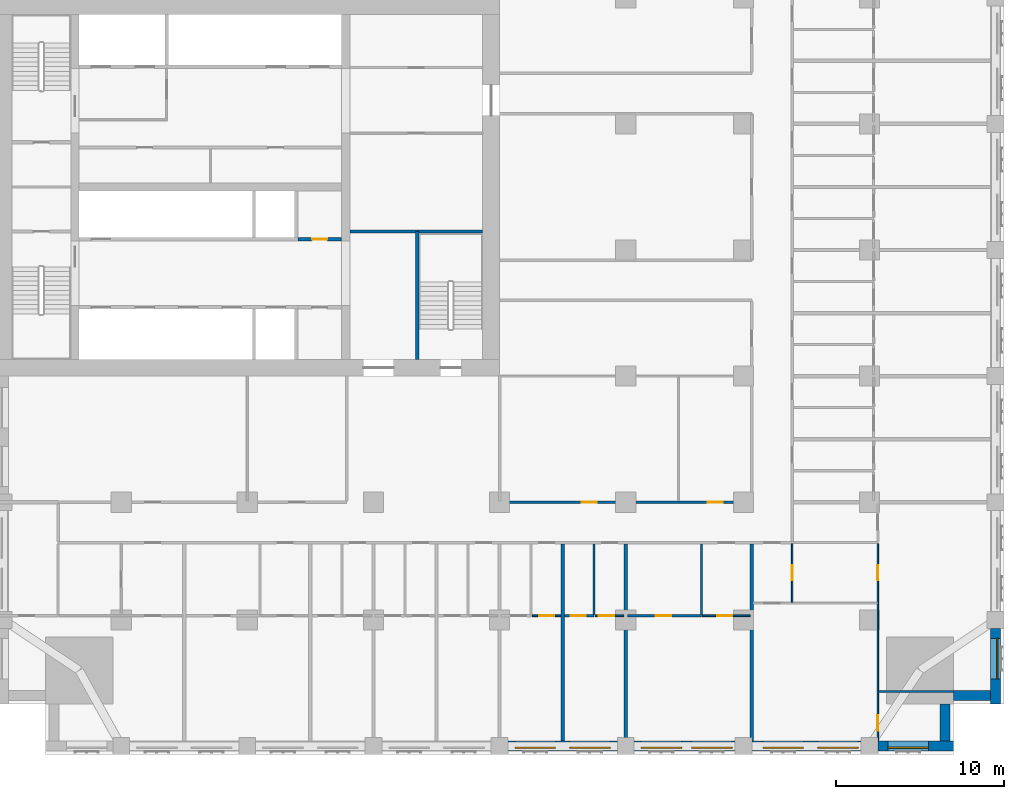
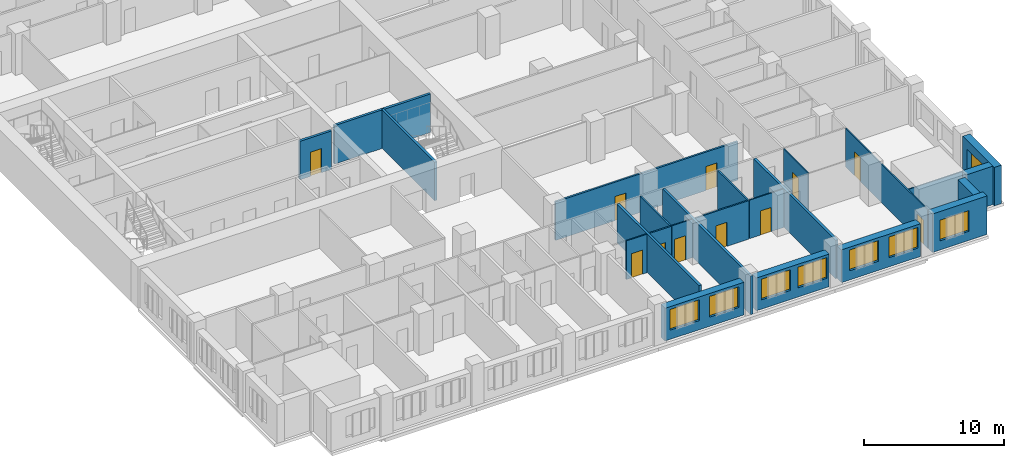
# One storey, part 6 of 15: 24 walls, 11 doors, 8 windows, 19 openings.
"""IFC4 building model written with IfcOpenShell, lengths in metres."""

from ifc_helpers import new_model, si_unit, direction, frame, frame_2d, origin, place, context, subcontext, project, spatial, rectangle, extrude, material, layer, layer_set, type_object, element, fill, save


model = new_model("IFC4")

# Units and contexts
model_context = context("Model", 3, precision=1e-05, world=origin(), true_north=direction((0.0, 1.0)))
body_context = subcontext(model_context, "Body", "Model", "MODEL_VIEW")
ifc_project = project(units=[si_unit("LENGTHUNIT", "METRE"), si_unit("AREAUNIT", "SQUARE_METRE"), si_unit("VOLUMEUNIT", "CUBIC_METRE"), si_unit("PLANEANGLEUNIT", "RADIAN"), si_unit("MASSUNIT", "GRAM", prefix="KILO")], contexts=[model_context])

# Site, building, storey
site_placement = place(None, origin())
site = spatial("IfcSite", under=ifc_project, at=site_placement, CompositionType="ELEMENT")
building_placement = place(site_placement, origin())
building = spatial("IfcBuilding", under=site, at=building_placement, Name="Tamorin Gate", CompositionType="ELEMENT")
storey_placement = place(building_placement, frame((0.0, 0.0, 62.800048828125)))
storey = spatial("IfcBuildingStorey", under=building, at=storey_placement, Name="L14", CompositionType="ELEMENT", Elevation=62.800048828125)

# Wall, openings, windows
ifc_material_1 = material(Name="Precast concrete C40/50", Category="concrete")
ifc_layer_1 = layer(ifc_material_1, 0.60009765625)
ifc_layer_set_1 = layer_set([ifc_layer_1], Name="Precast concrete C40/50")
wall_type_1 = type_object("IfcWallType", Name="Board-marked concrete facade panel 600", PredefinedType="SOLIDWALL", material=ifc_layer_set_1)
wall_1_placement = place(storey_placement, frame((60.5, 38.0, 0.0), z_axis=(0.0, 0.0, 1.0), x_axis=(1.0, 0.0, 0.0)))
wall_1 = element("IfcWall", 1, at=wall_1_placement, inside=storey, type_object=wall_type_1, Name="Facade panel", PredefinedType="SOLIDWALL", context=body_context, shape_type="SweptSolid", body=[
    extrude(rectangle(XDim=6.5, YDim=0.60009765625, at=frame_2d((3.25, 0.0))), origin(), (0.0, 0.0, 1.0), 2.849853515625),
])
opening_1_placement = place(wall_1_placement, frame((0.425048828125, 0.0, 0.800048828125)))
opening_1 = element("IfcOpeningElement", 2, at=opening_1_placement, cuts=wall_1, Name="Opening WN1", PredefinedType="OPENING", context=body_context, shape_type="SweptSolid", body=[
    extrude(rectangle(XDim=2.39990234375, YDim=1.800048828125, at=frame_2d((1.199951171875, 0.89990234375))), frame((0.0, 0.31005859375, 0.0), z_axis=(0.0, -1.0, 0.0), x_axis=(1.0, 0.0, 0.0)), (0.0, 0.0, 1.0), 0.6201171875),
])
opening_2_placement = place(wall_1_placement, frame((3.675048828125, 0.0, 0.800048828125)))
opening_2 = element("IfcOpeningElement", 3, at=opening_2_placement, cuts=wall_1, Name="Opening WN1", PredefinedType="OPENING", context=body_context, shape_type="SweptSolid", body=[
    extrude(rectangle(XDim=2.39990234375, YDim=1.800048828125, at=frame_2d((1.199951171875, 0.89990234375))), frame((0.0, 0.31005859375, 0.0), z_axis=(0.0, -1.0, 0.0), x_axis=(1.0, 0.0, 0.0)), (0.0, 0.0, 1.0), 0.6201171875),
])
ifc_material_2 = material(Name="Clear glass in aluminium frame", Category="aluminium")
window_type = type_object("IfcWindowType", Name="Deep-set window 2400x1800", PartitioningType="SINGLE_PANEL", PredefinedType="WINDOW", material=ifc_material_2)
window_1_placement = place(opening_1_placement, origin())
window_1 = element("IfcWindow", 4, at=window_1_placement, inside=storey, type_object=window_type, Name="Deep-set window", OverallHeight=1.800048828125, OverallWidth=2.39990234375, PartitioningType="SINGLE_PANEL", PredefinedType="WINDOW", context=body_context, shape_type="SweptSolid", body=[
    extrude(rectangle(XDim=2.39990234375, YDim=1.800048828125, at=frame_2d((1.199951171875, 0.89990234375))), frame((0.0, -0.070068359375, 0.0), z_axis=(0.0, -1.0, 0.0), x_axis=(1.0, 0.0, 0.0)), (0.0, 0.0, 1.0), 0.06005859375),
])
fill(opening_1, window_1)
window_2_placement = place(opening_2_placement, origin())
window_2 = element("IfcWindow", 5, at=window_2_placement, inside=storey, type_object=window_type, Name="Deep-set window", OverallHeight=1.800048828125, OverallWidth=2.39990234375, PartitioningType="SINGLE_PANEL", PredefinedType="WINDOW", context=body_context, shape_type="SweptSolid", body=[
    extrude(rectangle(XDim=2.39990234375, YDim=1.800048828125, at=frame_2d((1.199951171875, 0.89990234375))), frame((0.0, -0.070068359375, 0.0), z_axis=(0.0, -1.0, 0.0), x_axis=(1.0, 0.0, 0.0)), (0.0, 0.0, 1.0), 0.06005859375),
])
fill(opening_2, window_2)

wall_2_placement = place(storey_placement, frame((68.0, 38.0, 0.0), z_axis=(0.0, 0.0, 1.0), x_axis=(1.0, 0.0, 0.0)))
wall_2 = element("IfcWall", 6, at=wall_2_placement, inside=storey, type_object=wall_type_1, Name="Facade panel", PredefinedType="SOLIDWALL", context=body_context, shape_type="SweptSolid", body=[
    extrude(rectangle(XDim=6.0, YDim=0.60009765625, at=frame_2d((3.0, 0.0))), origin(), (0.0, 0.0, 1.0), 2.849853515625),
])
opening_3_placement = place(wall_2_placement, frame((0.425048828125, 0.0, 0.800048828125)))
opening_3 = element("IfcOpeningElement", 7, at=opening_3_placement, cuts=wall_2, Name="Opening WN1", PredefinedType="OPENING", context=body_context, shape_type="SweptSolid", body=[
    extrude(rectangle(XDim=2.39990234375, YDim=1.800048828125, at=frame_2d((1.199951171875, 0.89990234375))), frame((0.0, 0.31005859375, 0.0), z_axis=(0.0, -1.0, 0.0), x_axis=(1.0, 0.0, 0.0)), (0.0, 0.0, 1.0), 0.6201171875),
])
opening_4_placement = place(wall_2_placement, frame((3.425048828125, 0.0, 0.800048828125)))
opening_4 = element("IfcOpeningElement", 8, at=opening_4_placement, cuts=wall_2, Name="Opening WN1", PredefinedType="OPENING", context=body_context, shape_type="SweptSolid", body=[
    extrude(rectangle(XDim=2.39990234375, YDim=1.800048828125, at=frame_2d((1.199951171875, 0.89990234375))), frame((0.0, 0.31005859375, 0.0), z_axis=(0.0, -1.0, 0.0), x_axis=(1.0, 0.0, 0.0)), (0.0, 0.0, 1.0), 0.6201171875),
])
window_3_placement = place(opening_3_placement, origin())
window_3 = element("IfcWindow", 9, at=window_3_placement, inside=storey, type_object=window_type, Name="Deep-set window", OverallHeight=1.800048828125, OverallWidth=2.39990234375, PartitioningType="SINGLE_PANEL", PredefinedType="WINDOW", context=body_context, shape_type="SweptSolid", body=[
    extrude(rectangle(XDim=2.39990234375, YDim=1.800048828125, at=frame_2d((1.199951171875, 0.89990234375))), frame((0.0, -0.070068359375, 0.0), z_axis=(0.0, -1.0, 0.0), x_axis=(1.0, 0.0, 0.0)), (0.0, 0.0, 1.0), 0.06005859375),
])
fill(opening_3, window_3)
window_4_placement = place(opening_4_placement, origin())
window_4 = element("IfcWindow", 10, at=window_4_placement, inside=storey, type_object=window_type, Name="Deep-set window", OverallHeight=1.800048828125, OverallWidth=2.39990234375, PartitioningType="SINGLE_PANEL", PredefinedType="WINDOW", context=body_context, shape_type="SweptSolid", body=[
    extrude(rectangle(XDim=2.39990234375, YDim=1.800048828125, at=frame_2d((1.199951171875, 0.89990234375))), frame((0.0, -0.070068359375, 0.0), z_axis=(0.0, -1.0, 0.0), x_axis=(1.0, 0.0, 0.0)), (0.0, 0.0, 1.0), 0.06005859375),
])
fill(opening_4, window_4)

wall_3_placement = place(storey_placement, frame((75.0, 38.0, 0.0), z_axis=(0.0, 0.0, 1.0), x_axis=(1.0, 0.0, 0.0)))
wall_3 = element("IfcWall", 11, at=wall_3_placement, inside=storey, type_object=wall_type_1, Name="Facade panel", PredefinedType="SOLIDWALL", context=body_context, shape_type="SweptSolid", body=[
    extrude(rectangle(XDim=6.5, YDim=0.60009765625, at=frame_2d((3.25, 0.0))), origin(), (0.0, 0.0, 1.0), 2.849853515625),
])
opening_5_placement = place(wall_3_placement, frame((0.675048828125, 0.0, 0.800048828125)))
opening_5 = element("IfcOpeningElement", 12, at=opening_5_placement, cuts=wall_3, Name="Opening WN1", PredefinedType="OPENING", context=body_context, shape_type="SweptSolid", body=[
    extrude(rectangle(XDim=2.39990234375, YDim=1.800048828125, at=frame_2d((1.199951171875, 0.89990234375))), frame((0.0, 0.31005859375, 0.0), z_axis=(0.0, -1.0, 0.0), x_axis=(1.0, 0.0, 0.0)), (0.0, 0.0, 1.0), 0.6201171875),
])
opening_6_placement = place(wall_3_placement, frame((3.925048828125, 0.0, 0.800048828125)))
opening_6 = element("IfcOpeningElement", 13, at=opening_6_placement, cuts=wall_3, Name="Opening WN1", PredefinedType="OPENING", context=body_context, shape_type="SweptSolid", body=[
    extrude(rectangle(XDim=2.39990234375, YDim=1.800048828125, at=frame_2d((1.199951171875, 0.89990234375))), frame((0.0, 0.31005859375, 0.0), z_axis=(0.0, -1.0, 0.0), x_axis=(1.0, 0.0, 0.0)), (0.0, 0.0, 1.0), 0.6201171875),
])
window_5_placement = place(opening_5_placement, origin())
window_5 = element("IfcWindow", 14, at=window_5_placement, inside=storey, type_object=window_type, Name="Deep-set window", OverallHeight=1.800048828125, OverallWidth=2.39990234375, PartitioningType="SINGLE_PANEL", PredefinedType="WINDOW", context=body_context, shape_type="SweptSolid", body=[
    extrude(rectangle(XDim=2.39990234375, YDim=1.800048828125, at=frame_2d((1.199951171875, 0.89990234375))), frame((0.0, -0.070068359375, 0.0), z_axis=(0.0, -1.0, 0.0), x_axis=(1.0, 0.0, 0.0)), (0.0, 0.0, 1.0), 0.06005859375),
])
fill(opening_5, window_5)
window_6_placement = place(opening_6_placement, origin())
window_6 = element("IfcWindow", 15, at=window_6_placement, inside=storey, type_object=window_type, Name="Deep-set window", OverallHeight=1.800048828125, OverallWidth=2.39990234375, PartitioningType="SINGLE_PANEL", PredefinedType="WINDOW", context=body_context, shape_type="SweptSolid", body=[
    extrude(rectangle(XDim=2.39990234375, YDim=1.800048828125, at=frame_2d((1.199951171875, 0.89990234375))), frame((0.0, -0.070068359375, 0.0), z_axis=(0.0, -1.0, 0.0), x_axis=(1.0, 0.0, 0.0)), (0.0, 0.0, 1.0), 0.06005859375),
])
fill(opening_6, window_6)

# Wall, opening, window
wall_4_placement = place(storey_placement, frame((82.5, 38.0, 0.0), z_axis=(0.0, 0.0, 1.0), x_axis=(1.0, 0.0, 0.0)))
wall_4 = element("IfcWall", 16, at=wall_4_placement, inside=storey, type_object=wall_type_1, Name="Facade panel", PredefinedType="SOLIDWALL", context=body_context, shape_type="SweptSolid", body=[
    extrude(rectangle(XDim=4.5, YDim=0.60009765625, at=frame_2d((2.25, 0.0))), origin(), (0.0, 0.0, 1.0), 3.349853515625),
])
opening_7_placement = place(wall_4_placement, frame((0.60009765625, 0.0, 0.800048828125)))
opening_7 = element("IfcOpeningElement", 17, at=opening_7_placement, cuts=wall_4, Name="Opening WN1", PredefinedType="OPENING", context=body_context, shape_type="SweptSolid", body=[
    extrude(rectangle(XDim=2.39990234375, YDim=1.800048828125, at=frame_2d((1.199951171875, 0.89990234375))), frame((0.0, 0.31005859375, 0.0), z_axis=(0.0, -1.0, 0.0), x_axis=(1.0, 0.0, 0.0)), (0.0, 0.0, 1.0), 0.6201171875),
])
window_7_placement = place(opening_7_placement, origin())
window_7 = element("IfcWindow", 18, at=window_7_placement, inside=storey, type_object=window_type, Name="Deep-set window", OverallHeight=1.800048828125, OverallWidth=2.39990234375, PartitioningType="SINGLE_PANEL", PredefinedType="WINDOW", context=body_context, shape_type="SweptSolid", body=[
    extrude(rectangle(XDim=2.39990234375, YDim=1.800048828125, at=frame_2d((1.199951171875, 0.89990234375))), frame((0.0, -0.070068359375, 0.0), z_axis=(0.0, -1.0, 0.0), x_axis=(1.0, 0.0, 0.0)), (0.0, 0.0, 1.0), 0.06005859375),
])
fill(opening_7, window_7)

# Walls
for number, where, z_axis, x_axis, name in (
    (19, (86.5, 38.300048828125, 0.0), (0.0, 0.0, 1.0), (0.0, 1.0, 0.0), "Facade panel"),
    (20, (87.0, 41.0, 0.0), (0.0, 0.0, 1.0), (1.0, 0.0, 0.0), "Facade panel"),
):
    element("IfcWall", number, at=place(storey_placement, frame(where, z_axis=z_axis, x_axis=x_axis)), inside=storey, type_object=wall_type_1, Name=name, PredefinedType="SOLIDWALL", context=body_context, shape_type="SweptSolid", body=[
        extrude(rectangle(XDim=2.199951171875, YDim=0.60009765625, at=frame_2d((1.10009765625, 0.0))), origin(), (0.0, 0.0, 1.0), 3.349853515625),
    ])

# Wall, opening, window
wall_5_placement = place(storey_placement, frame((89.5, 40.5, 0.0), z_axis=(0.0, 0.0, 1.0), x_axis=(0.0, 1.0, 0.0)))
wall_5 = element("IfcWall", 21, at=wall_5_placement, inside=storey, type_object=wall_type_1, Name="Facade panel", PredefinedType="SOLIDWALL", context=body_context, shape_type="SweptSolid", body=[
    extrude(rectangle(XDim=4.5, YDim=0.60009765625, at=frame_2d((2.25, 0.0))), origin(), (0.0, 0.0, 1.0), 3.349853515625),
])
opening_8_placement = place(wall_5_placement, frame((1.5, 0.0, 0.800048828125)))
opening_8 = element("IfcOpeningElement", 22, at=opening_8_placement, cuts=wall_5, Name="Opening WN1", PredefinedType="OPENING", context=body_context, shape_type="SweptSolid", body=[
    extrude(rectangle(XDim=2.39990234375, YDim=1.800048828125, at=frame_2d((1.199951171875, 0.89990234375))), frame((0.0, 0.31005859375, 0.0), z_axis=(0.0, -1.0, 0.0), x_axis=(1.0, 0.0, 0.0)), (0.0, 0.0, 1.0), 0.6201171875),
])
window_8_placement = place(opening_8_placement, origin())
window_8 = element("IfcWindow", 23, at=window_8_placement, inside=storey, type_object=window_type, Name="Deep-set window", OverallHeight=1.800048828125, OverallWidth=2.39990234375, PartitioningType="SINGLE_PANEL", PredefinedType="WINDOW", context=body_context, shape_type="SweptSolid", body=[
    extrude(rectangle(XDim=2.39990234375, YDim=1.800048828125, at=frame_2d((1.199951171875, 0.89990234375))), frame((0.0, -0.070068359375, 0.0), z_axis=(0.0, -1.0, 0.0), x_axis=(1.0, 0.0, 0.0)), (0.0, 0.0, 1.0), 0.06005859375),
])
fill(opening_8, window_8)

# Wall, openings, doors
ifc_material_3 = material(Name="Gypsum board partition")
ifc_layer_2 = layer(ifc_material_3, 0.14990234375)
ifc_layer_set_2 = layer_set([ifc_layer_2], Name="Corridor wall 150")
wall_type_2 = type_object("IfcWallType", Name="Corridor wall 150", PredefinedType="PARTITIONING", material=ifc_layer_set_2)
wall_6_placement = place(storey_placement, frame((60.0, 52.5, 0.0), z_axis=(0.0, 0.0, 1.0), x_axis=(1.0, 0.0, 0.0)))
wall_6 = element("IfcWall", 24, at=wall_6_placement, inside=storey, type_object=wall_type_2, Name="Corridor wall 150", PredefinedType="PARTITIONING", context=body_context, shape_type="SweptSolid", body=[
    extrude(rectangle(XDim=15.0, YDim=0.14990234375, at=frame_2d((7.5, 0.0))), origin(), (0.0, 0.0, 1.0), 3.349853515625),
])
opening_9_placement = place(wall_6_placement, frame((4.875, 0.0, 0.0)))
opening_9 = element("IfcOpeningElement", 25, at=opening_9_placement, cuts=wall_6, Name="Opening DH1095", PredefinedType="OPENING", context=body_context, shape_type="SweptSolid", body=[
    extrude(rectangle(XDim=0.89990234375, YDim=2.10009765625, at=frame_2d((0.449951171875, 1.050048828125))), frame((0.0, 0.0849609375, 0.0), z_axis=(0.0, -1.0, 0.0), x_axis=(1.0, 0.0, 0.0)), (0.0, 0.0, 1.0), 0.169921875),
])
opening_10_placement = place(wall_6_placement, frame((12.375, 0.0, 0.0)))
opening_10 = element("IfcOpeningElement", 26, at=opening_10_placement, cuts=wall_6, Name="Opening DH1096", PredefinedType="OPENING", context=body_context, shape_type="SweptSolid", body=[
    extrude(rectangle(XDim=0.89990234375, YDim=2.10009765625, at=frame_2d((0.449951171875, 1.050048828125))), frame((0.0, 0.0849609375, 0.0), z_axis=(0.0, -1.0, 0.0), x_axis=(1.0, 0.0, 0.0)), (0.0, 0.0, 1.0), 0.169921875),
])
ifc_material_4 = material(Name="Timber door leaf", Category="wood")
door_type_1 = type_object("IfcDoorType", Name="Door 900 x 2100 FD30S", OperationType="NOTDEFINED", PredefinedType="DOOR", material=ifc_material_4)
door_1_placement = place(opening_9_placement, origin())
door_1 = element("IfcDoor", 27, at=door_1_placement, inside=storey, type_object=door_type_1, Name="Door DH1095", OperationType="SINGLE_SWING_RIGHT", OverallHeight=2.10009765625, OverallWidth=0.89990234375, PredefinedType="DOOR", context=body_context, shape_type="SweptSolid", body=[
    extrude(rectangle(XDim=0.89990234375, YDim=2.10009765625, at=frame_2d((0.449951171875, 1.050048828125))), frame((0.0, 0.02490234375, 0.0), z_axis=(0.0, -1.0, 0.0), x_axis=(1.0, 0.0, 0.0)), (0.0, 0.0, 1.0), 0.050048828125),
])
fill(opening_9, door_1)
door_2_placement = place(opening_10_placement, origin())
door_2 = element("IfcDoor", 28, at=door_2_placement, inside=storey, type_object=door_type_1, Name="Door DH1096", OperationType="SINGLE_SWING_RIGHT", OverallHeight=2.10009765625, OverallWidth=0.89990234375, PredefinedType="DOOR", context=body_context, shape_type="SweptSolid", body=[
    extrude(rectangle(XDim=0.89990234375, YDim=2.10009765625, at=frame_2d((0.449951171875, 1.050048828125))), frame((0.0, 0.02490234375, 0.0), z_axis=(0.0, -1.0, 0.0), x_axis=(1.0, 0.0, 0.0)), (0.0, 0.0, 1.0), 0.050048828125),
])
fill(opening_10, door_2)

# Walls
ifc_layer_3 = layer(ifc_material_3, 0.199951171875)
ifc_layer_set_3 = layer_set([ifc_layer_3], Name="Demising wall 200")
wall_type_3 = type_object("IfcWallType", Name="Demising wall 200", PredefinedType="PARTITIONING", material=ifc_layer_set_3)
wall_7_placement = place(storey_placement, frame((63.75, 38.31005859375, 0.0), z_axis=(0.0, 0.0, 1.0), x_axis=(0.0, 1.0, 0.0)))
element("IfcWall", 29, at=wall_7_placement, inside=storey, type_object=wall_type_3, Name="Demising wall 200", PredefinedType="PARTITIONING", context=body_context, shape_type="SweptSolid", body=[
    extrude(rectangle(XDim=11.71484375, YDim=0.199951171875, at=frame_2d((5.857421875, 0.0))), origin(), (0.0, 0.0, 1.0), 3.349853515625),
])
wall_8_placement = place(storey_placement, frame((67.5, 37.5, 0.0), z_axis=(0.0, 0.0, 1.0), x_axis=(0.0, 1.0, 0.0)))
element("IfcWall", 30, at=wall_8_placement, inside=storey, type_object=wall_type_3, Name="Demising wall 200", PredefinedType="PARTITIONING", context=body_context, shape_type="SweptSolid", body=[
    extrude(rectangle(XDim=12.52490234375, YDim=0.199951171875, at=frame_2d((6.262451171875, 0.0))), origin(), (0.0, 0.0, 1.0), 3.349853515625),
])
wall_9_placement = place(storey_placement, frame((75.0, 38.31005859375, 0.0), z_axis=(0.0, 0.0, 1.0), x_axis=(0.0, 1.0, 0.0)))
element("IfcWall", 31, at=wall_9_placement, inside=storey, type_object=wall_type_3, Name="Demising wall 200", PredefinedType="PARTITIONING", context=body_context, shape_type="SweptSolid", body=[
    extrude(rectangle(XDim=11.71484375, YDim=0.199951171875, at=frame_2d((5.857421875, 0.0))), origin(), (0.0, 0.0, 1.0), 3.349853515625),
])
ifc_layer_4 = layer(ifc_material_3, 0.10009765625)
ifc_layer_set_4 = layer_set([ifc_layer_4], Name="Room partition 100")
wall_type_4 = type_object("IfcWallType", Name="Room partition 100", PredefinedType="PARTITIONING", material=ifc_layer_set_4)
wall_10_placement = place(storey_placement, frame((82.550048828125, 41.25, 0.0), z_axis=(0.0, 0.0, 1.0), x_axis=(1.0, 0.0, 0.0)))
element("IfcWall", 32, at=wall_10_placement, inside=storey, type_object=wall_type_4, Name="Room partition 100", PredefinedType="PARTITIONING", context=body_context, shape_type="SweptSolid", body=[
    extrude(rectangle(XDim=4.43994140625, YDim=0.10009765625, at=frame_2d((2.219970703125, 0.0))), origin(), (0.0, 0.0, 1.0), 3.349853515625),
])

# Wall, opening, door
wall_11_placement = place(storey_placement, frame((61.9375, 45.75, 0.0), z_axis=(0.0, 0.0, 1.0), x_axis=(1.0, 0.0, 0.0)))
wall_11 = element("IfcWall", 33, at=wall_11_placement, inside=storey, type_object=wall_type_4, Name="Room partition 100", PredefinedType="PARTITIONING", context=body_context, shape_type="SweptSolid", body=[
    extrude(rectangle(XDim=1.71240234375, YDim=0.10009765625, at=frame_2d((0.856201171875, 0.0))), origin(), (0.0, 0.0, 1.0), 3.349853515625),
])
opening_11_placement = place(wall_11_placement, frame((0.425048828125, 0.0, 0.0)))
opening_11 = element("IfcOpeningElement", 34, at=opening_11_placement, cuts=wall_11, Name="Opening DH1019", PredefinedType="OPENING", context=body_context, shape_type="SweptSolid", body=[
    extrude(rectangle(XDim=0.89990234375, YDim=2.10009765625, at=frame_2d((0.449951171875, 1.050048828125))), frame((0.0, 0.06005859375, 0.0), z_axis=(0.0, -1.0, 0.0), x_axis=(1.0, 0.0, 0.0)), (0.0, 0.0, 1.0), 0.1201171875),
])
door_type_2 = type_object("IfcDoorType", Name="Door 900 x 2100", OperationType="NOTDEFINED", PredefinedType="DOOR", material=ifc_material_4)
door_3_placement = place(opening_11_placement, origin())
door_3 = element("IfcDoor", 35, at=door_3_placement, inside=storey, type_object=door_type_2, Name="Door DH1019", OperationType="SINGLE_SWING_LEFT", OverallHeight=2.10009765625, OverallWidth=0.89990234375, PredefinedType="DOOR", context=body_context, shape_type="SweptSolid", body=[
    extrude(rectangle(XDim=0.89990234375, YDim=2.10009765625, at=frame_2d((0.449951171875, 1.050048828125))), frame((0.0, 0.02490234375, 0.0), z_axis=(0.0, -1.0, 0.0), x_axis=(1.0, 0.0, 0.0)), (0.0, 0.0, 1.0), 0.050048828125),
])
fill(opening_11, door_3)

wall_12_placement = place(storey_placement, frame((65.6875, 45.75, 0.0), z_axis=(0.0, 0.0, 1.0), x_axis=(1.0, 0.0, 0.0)))
wall_12 = element("IfcWall", 36, at=wall_12_placement, inside=storey, type_object=wall_type_4, Name="Room partition 100", PredefinedType="PARTITIONING", context=body_context, shape_type="SweptSolid", body=[
    extrude(rectangle(XDim=1.71240234375, YDim=0.10009765625, at=frame_2d((0.856201171875, 0.0))), origin(), (0.0, 0.0, 1.0), 3.349853515625),
])
opening_12_placement = place(wall_12_placement, frame((0.22509765625, 0.0, 0.0)))
opening_12 = element("IfcOpeningElement", 37, at=opening_12_placement, cuts=wall_12, Name="Opening DH1022", PredefinedType="OPENING", context=body_context, shape_type="SweptSolid", body=[
    extrude(rectangle(XDim=0.89990234375, YDim=2.10009765625, at=frame_2d((0.449951171875, 1.050048828125))), frame((0.0, 0.06005859375, 0.0), z_axis=(0.0, -1.0, 0.0), x_axis=(1.0, 0.0, 0.0)), (0.0, 0.0, 1.0), 0.1201171875),
])
door_4_placement = place(opening_12_placement, origin())
door_4 = element("IfcDoor", 38, at=door_4_placement, inside=storey, type_object=door_type_2, Name="Door DH1022", OperationType="SINGLE_SWING_LEFT", OverallHeight=2.10009765625, OverallWidth=0.89990234375, PredefinedType="DOOR", context=body_context, shape_type="SweptSolid", body=[
    extrude(rectangle(XDim=0.89990234375, YDim=2.10009765625, at=frame_2d((0.449951171875, 1.050048828125))), frame((0.0, 0.02490234375, 0.0), z_axis=(0.0, -1.0, 0.0), x_axis=(1.0, 0.0, 0.0)), (0.0, 0.0, 1.0), 0.050048828125),
])
fill(opening_12, door_4)

wall_13_placement = place(storey_placement, frame((72.0625, 45.75, 0.0), z_axis=(0.0, 0.0, 1.0), x_axis=(1.0, 0.0, 0.0)))
wall_13 = element("IfcWall", 39, at=wall_13_placement, inside=storey, type_object=wall_type_4, Name="Room partition 100", PredefinedType="PARTITIONING", context=body_context, shape_type="SweptSolid", body=[
    extrude(rectangle(XDim=2.83740234375, YDim=0.10009765625, at=frame_2d((1.418701171875, 0.0))), origin(), (0.0, 0.0, 1.0), 3.349853515625),
])
opening_13_placement = place(wall_13_placement, frame((0.887451171875, 0.0, 0.0)))
opening_13 = element("IfcOpeningElement", 40, at=opening_13_placement, cuts=wall_13, Name="Opening DH1025", PredefinedType="OPENING", context=body_context, shape_type="SweptSolid", body=[
    extrude(rectangle(XDim=0.89990234375, YDim=2.10009765625, at=frame_2d((0.449951171875, 1.050048828125))), frame((0.0, 0.06005859375, 0.0), z_axis=(0.0, -1.0, 0.0), x_axis=(1.0, 0.0, 0.0)), (0.0, 0.0, 1.0), 0.1201171875),
])
door_5_placement = place(opening_13_placement, origin())
door_5 = element("IfcDoor", 41, at=door_5_placement, inside=storey, type_object=door_type_2, Name="Door DH1025", OperationType="SINGLE_SWING_LEFT", OverallHeight=2.10009765625, OverallWidth=0.89990234375, PredefinedType="DOOR", context=body_context, shape_type="SweptSolid", body=[
    extrude(rectangle(XDim=0.89990234375, YDim=2.10009765625, at=frame_2d((0.449951171875, 1.050048828125))), frame((0.0, 0.02490234375, 0.0), z_axis=(0.0, -1.0, 0.0), x_axis=(1.0, 0.0, 0.0)), (0.0, 0.0, 1.0), 0.050048828125),
])
fill(opening_13, door_5)

wall_14_placement = place(storey_placement, frame((77.39990234375, 46.550048828125, 0.0), z_axis=(0.0, 0.0, 1.0), x_axis=(0.0, 1.0, 0.0)))
wall_14 = element("IfcWall", 42, at=wall_14_placement, inside=storey, type_object=wall_type_4, Name="Room partition 100", PredefinedType="PARTITIONING", context=body_context, shape_type="SweptSolid", body=[
    extrude(rectangle(XDim=3.474853515625, YDim=0.10009765625, at=frame_2d((1.7373046875, 0.0))), origin(), (0.0, 0.0, 1.0), 3.349853515625),
])
opening_14_placement = place(wall_14_placement, frame((1.300048828125, 0.0, 0.0)))
opening_14 = element("IfcOpeningElement", 43, at=opening_14_placement, cuts=wall_14, Name="Opening DH1083", PredefinedType="OPENING", context=body_context, shape_type="SweptSolid", body=[
    extrude(rectangle(XDim=0.89990234375, YDim=2.10009765625, at=frame_2d((0.449951171875, 1.050048828125))), frame((0.0, 0.06005859375, 0.0), z_axis=(0.0, -1.0, 0.0), x_axis=(1.0, 0.0, 0.0)), (0.0, 0.0, 1.0), 0.1201171875),
])
door_6_placement = place(opening_14_placement, origin())
door_6 = element("IfcDoor", 44, at=door_6_placement, inside=storey, type_object=door_type_2, Name="Door DH1083", OperationType="SINGLE_SWING_RIGHT", OverallHeight=2.10009765625, OverallWidth=0.89990234375, PredefinedType="DOOR", context=body_context, shape_type="SweptSolid", body=[
    extrude(rectangle(XDim=0.89990234375, YDim=2.10009765625, at=frame_2d((0.449951171875, 1.050048828125))), frame((0.0, 0.02490234375, 0.0), z_axis=(0.0, -1.0, 0.0), x_axis=(1.0, 0.0, 0.0)), (0.0, 0.0, 1.0), 0.050048828125),
])
fill(opening_14, door_6)

# Wall, openings, doors
wall_15_placement = place(storey_placement, frame((82.5, 38.31005859375, 0.0), z_axis=(0.0, 0.0, 1.0), x_axis=(0.0, 1.0, 0.0)))
wall_15 = element("IfcWall", 45, at=wall_15_placement, inside=storey, type_object=wall_type_4, Name="Room partition 100", PredefinedType="PARTITIONING", context=body_context, shape_type="SweptSolid", body=[
    extrude(rectangle(XDim=11.7275390625, YDim=0.10009765625, at=frame_2d((5.86376953125, 0.0))), origin(), (0.0, 0.0, 1.0), 3.349853515625),
])
opening_15_placement = place(wall_15_placement, frame((0.614990234375, 0.0, 0.0)))
opening_15 = element("IfcOpeningElement", 46, at=opening_15_placement, cuts=wall_15, Name="Opening DH1084", PredefinedType="OPENING", context=body_context, shape_type="SweptSolid", body=[
    extrude(rectangle(XDim=0.89990234375, YDim=2.10009765625, at=frame_2d((0.449951171875, 1.050048828125))), frame((0.0, 0.06005859375, 0.0), z_axis=(0.0, -1.0, 0.0), x_axis=(1.0, 0.0, 0.0)), (0.0, 0.0, 1.0), 0.1201171875),
])
opening_16_placement = place(wall_15_placement, frame((9.5400390625, 0.0, 0.0)))
opening_16 = element("IfcOpeningElement", 47, at=opening_16_placement, cuts=wall_15, Name="Opening DH1085", PredefinedType="OPENING", context=body_context, shape_type="SweptSolid", body=[
    extrude(rectangle(XDim=0.89990234375, YDim=2.10009765625, at=frame_2d((0.449951171875, 1.050048828125))), frame((0.0, 0.06005859375, 0.0), z_axis=(0.0, -1.0, 0.0), x_axis=(1.0, 0.0, 0.0)), (0.0, 0.0, 1.0), 0.1201171875),
])
door_7_placement = place(opening_15_placement, origin())
door_7 = element("IfcDoor", 48, at=door_7_placement, inside=storey, type_object=door_type_2, Name="Door DH1084", OperationType="SINGLE_SWING_LEFT", OverallHeight=2.10009765625, OverallWidth=0.89990234375, PredefinedType="DOOR", context=body_context, shape_type="SweptSolid", body=[
    extrude(rectangle(XDim=0.89990234375, YDim=2.10009765625, at=frame_2d((0.449951171875, 1.050048828125))), frame((0.0, 0.02490234375, 0.0), z_axis=(0.0, -1.0, 0.0), x_axis=(1.0, 0.0, 0.0)), (0.0, 0.0, 1.0), 0.050048828125),
])
fill(opening_15, door_7)
door_8_placement = place(opening_16_placement, origin())
door_8 = element("IfcDoor", 49, at=door_8_placement, inside=storey, type_object=door_type_2, Name="Door DH1085", OperationType="SINGLE_SWING_RIGHT", OverallHeight=2.10009765625, OverallWidth=0.89990234375, PredefinedType="DOOR", context=body_context, shape_type="SweptSolid", body=[
    extrude(rectangle(XDim=0.89990234375, YDim=2.10009765625, at=frame_2d((0.449951171875, 1.050048828125))), frame((0.0, 0.02490234375, 0.0), z_axis=(0.0, -1.0, 0.0), x_axis=(1.0, 0.0, 0.0)), (0.0, 0.0, 1.0), 0.050048828125),
])
fill(opening_16, door_8)

# Wall, opening, door
ifc_layer_5 = layer(ifc_material_3, 0.199951171875)
ifc_layer_set_5 = layer_set([ifc_layer_5], Name="Service room face wall 200 EI 60")
wall_type_5 = type_object("IfcWallType", Name="Service room face wall 200 EI 60", PredefinedType="PARTITIONING", material=ifc_layer_set_5)
wall_16_placement = place(storey_placement, frame((48.0, 68.14990234375, 0.0), z_axis=(0.0, 0.0, 1.0), x_axis=(1.0, 0.0, 0.0)))
wall_16 = element("IfcWall", 50, at=wall_16_placement, inside=storey, type_object=wall_type_5, Name="Service room face wall", PredefinedType="PARTITIONING", context=body_context, shape_type="SweptSolid", body=[
    extrude(rectangle(XDim=2.60009765625, YDim=0.199951171875, at=frame_2d((1.300048828125, 0.0))), origin(), (0.0, 0.0, 1.0), 3.349853515625),
])
opening_17_placement = place(wall_16_placement, frame((0.85009765625, 0.0, 0.0)))
opening_17 = element("IfcOpeningElement", 51, at=opening_17_placement, cuts=wall_16, Name="Opening DK1", PredefinedType="OPENING", context=body_context, shape_type="SweptSolid", body=[
    extrude(rectangle(XDim=0.89990234375, YDim=2.10009765625, at=frame_2d((0.449951171875, 1.050048828125))), frame((0.0, 0.10986328125, 0.0), z_axis=(0.0, -1.0, 0.0), x_axis=(1.0, 0.0, 0.0)), (0.0, 0.0, 1.0), 0.219970703125),
])
ifc_material_5 = material(Name="Timber fire door", Category="wood")
door_type_3 = type_object("IfcDoorType", Name="Service room door 900 x 2100 EI 60", OperationType="SINGLE_SWING_LEFT", PredefinedType="DOOR", material=ifc_material_5)
door_9_placement = place(opening_17_placement, origin())
door_9 = element("IfcDoor", 52, at=door_9_placement, inside=storey, type_object=door_type_3, Name="Door Housekeeping store", OperationType="SINGLE_SWING_RIGHT", OverallHeight=2.10009765625, OverallWidth=0.89990234375, PredefinedType="DOOR", context=body_context, shape_type="SweptSolid", body=[
    extrude(rectangle(XDim=0.89990234375, YDim=2.10009765625, at=frame_2d((0.449951171875, 1.050048828125))), frame((0.0, 0.02490234375, 0.0), z_axis=(0.0, -1.0, 0.0), x_axis=(1.0, 0.0, 0.0)), (0.0, 0.0, 1.0), 0.050048828125),
])
fill(opening_17, door_9)

# Walls
ifc_material_6 = material(Name="Concrete C40/50", Category="concrete")
ifc_layer_6 = layer(ifc_material_6, 0.199951171875)
ifc_layer_set_6 = layer_set([ifc_layer_6], Name="Stair enclosure wall 200 EI 120 C40/50")
wall_type_6 = type_object("IfcWallType", Name="Stair enclosure wall 200 EI 120 C40/50", PredefinedType="SOLIDWALL", material=ifc_layer_set_6)
wall_17_placement = place(storey_placement, frame((55.10009765625, 61.0, 0.0), z_axis=(0.0, 0.0, 1.0), x_axis=(0.0, 1.0, 0.0)))
element("IfcWall", 53, at=wall_17_placement, inside=storey, type_object=wall_type_6, Name="Stair enclosure wall", PredefinedType="SOLIDWALL", context=body_context, shape_type="SweptSolid", body=[
    extrude(rectangle(XDim=7.60009765625, YDim=0.199951171875, at=frame_2d((3.800048828125, 0.0))), origin(), (0.0, 0.0, 1.0), 3.349853515625),
])
wall_18_placement = place(storey_placement, frame((51.10009765625, 68.60009765625, 0.0), z_axis=(0.0, 0.0, 1.0), x_axis=(1.0, 0.0, 0.0)))
element("IfcWall", 54, at=wall_18_placement, inside=storey, type_object=wall_type_6, Name="Stair enclosure wall", PredefinedType="SOLIDWALL", context=body_context, shape_type="SweptSolid", body=[
    extrude(rectangle(XDim=7.89990234375, YDim=0.199951171875, at=frame_2d((3.949951171875, 0.0))), origin(), (0.0, 0.0, 1.0), 3.349853515625),
])

# Wall, opening, door
ifc_layer_7 = layer(ifc_material_3, 0.125)
ifc_layer_set_7 = layer_set([ifc_layer_7], Name="Wet wall 125")
wall_type_7 = type_object("IfcWallType", Name="Wet wall 125", PredefinedType="PARTITIONING", material=ifc_layer_set_7)
wall_19_placement = place(storey_placement, frame((63.85009765625, 45.75, 0.0), z_axis=(0.0, 0.0, 1.0), x_axis=(1.0, 0.0, 0.0)))
wall_19 = element("IfcWall", 55, at=wall_19_placement, inside=storey, type_object=wall_type_7, Name="Wet wall 125", PredefinedType="PARTITIONING", context=body_context, shape_type="SweptSolid", body=[
    extrude(rectangle(XDim=1.77490234375, YDim=0.125, at=frame_2d((0.887451171875, 0.0))), origin(), (0.0, 0.0, 1.0), 3.349853515625),
])
opening_18_placement = place(wall_19_placement, frame((0.387451171875, 0.0, 0.0)))
opening_18 = element("IfcOpeningElement", 56, at=opening_18_placement, cuts=wall_19, Name="Opening DH1020", PredefinedType="OPENING", context=body_context, shape_type="SweptSolid", body=[
    extrude(rectangle(XDim=0.89990234375, YDim=2.10009765625, at=frame_2d((0.449951171875, 1.050048828125))), frame((0.0, 0.072509765625, 0.0), z_axis=(0.0, -1.0, 0.0), x_axis=(1.0, 0.0, 0.0)), (0.0, 0.0, 1.0), 0.14501953125),
])
door_10_placement = place(opening_18_placement, origin())
door_10 = element("IfcDoor", 57, at=door_10_placement, inside=storey, type_object=door_type_2, Name="Door DH1020", OperationType="SINGLE_SWING_LEFT", OverallHeight=2.10009765625, OverallWidth=0.89990234375, PredefinedType="DOOR", context=body_context, shape_type="SweptSolid", body=[
    extrude(rectangle(XDim=0.89990234375, YDim=2.10009765625, at=frame_2d((0.449951171875, 1.050048828125))), frame((0.0, 0.02490234375, 0.0), z_axis=(0.0, -1.0, 0.0), x_axis=(1.0, 0.0, 0.0)), (0.0, 0.0, 1.0), 0.050048828125),
])
fill(opening_18, door_10)

wall_20_placement = place(storey_placement, frame((67.60009765625, 45.75, 0.0), z_axis=(0.0, 0.0, 1.0), x_axis=(1.0, 0.0, 0.0)))
wall_20 = element("IfcWall", 58, at=wall_20_placement, inside=storey, type_object=wall_type_7, Name="Wet wall 125", PredefinedType="PARTITIONING", context=body_context, shape_type="SweptSolid", body=[
    extrude(rectangle(XDim=4.39990234375, YDim=0.125, at=frame_2d((2.199951171875, 0.0))), origin(), (0.0, 0.0, 1.0), 3.349853515625),
])
opening_19_placement = place(wall_20_placement, frame((1.699951171875, 0.0, 0.0)))
opening_19 = element("IfcOpeningElement", 59, at=opening_19_placement, cuts=wall_20, Name="Opening DH1023", PredefinedType="OPENING", context=body_context, shape_type="SweptSolid", body=[
    extrude(rectangle(XDim=0.89990234375, YDim=2.10009765625, at=frame_2d((0.449951171875, 1.050048828125))), frame((0.0, 0.072509765625, 0.0), z_axis=(0.0, -1.0, 0.0), x_axis=(1.0, 0.0, 0.0)), (0.0, 0.0, 1.0), 0.14501953125),
])
door_11_placement = place(opening_19_placement, origin())
door_11 = element("IfcDoor", 60, at=door_11_placement, inside=storey, type_object=door_type_2, Name="Door DH1023", OperationType="SINGLE_SWING_LEFT", OverallHeight=2.10009765625, OverallWidth=0.89990234375, PredefinedType="DOOR", context=body_context, shape_type="SweptSolid", body=[
    extrude(rectangle(XDim=0.89990234375, YDim=2.10009765625, at=frame_2d((0.449951171875, 1.050048828125))), frame((0.0, 0.02490234375, 0.0), z_axis=(0.0, -1.0, 0.0), x_axis=(1.0, 0.0, 0.0)), (0.0, 0.0, 1.0), 0.050048828125),
])
fill(opening_19, door_11)

# Walls
for number, where, z_axis, x_axis, name in (
    (61, (65.625, 45.8125, 0.0), (0.0, 0.0, 1.0), (0.0, 1.0, 0.0), "Wet wall 125"),
    (62, (72.0, 45.8125, 0.0), (0.0, 0.0, 1.0), (0.0, 1.0, 0.0), "Wet wall 125"),
):
    element("IfcWall", number, at=place(storey_placement, frame(where, z_axis=z_axis, x_axis=x_axis)), inside=storey, type_object=wall_type_7, Name=name, PredefinedType="PARTITIONING", context=body_context, shape_type="SweptSolid", body=[
        extrude(rectangle(XDim=4.21240234375, YDim=0.125, at=frame_2d((2.106201171875, 0.0))), origin(), (0.0, 0.0, 1.0), 3.349853515625),
    ])

save(model, "model.ifc")
